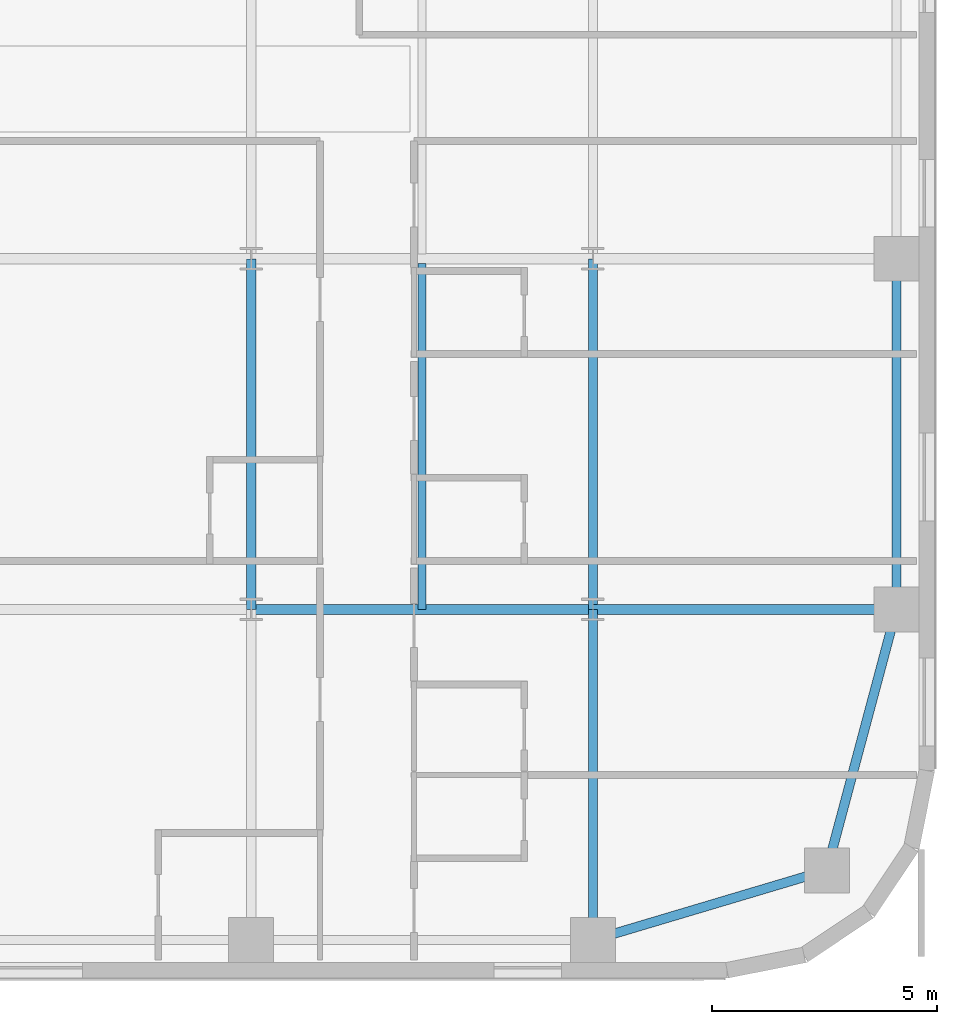
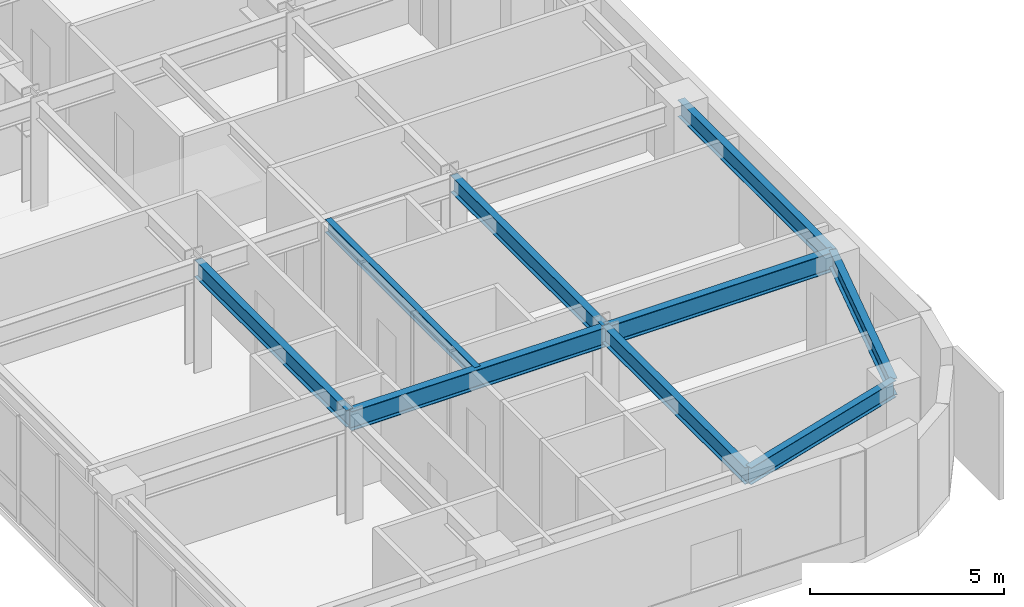
# One storey, part 10 of 24: 9 beams.
"""IFC4 building model written with IfcOpenShell, lengths in metres."""

from ifc_helpers import new_model, si_unit, direction, frame, origin, origin_2d, place, context, subcontext, project, spatial, i_section, extrude, source, transform, mapped, material, material_profile, profile_set, type_object, type_shapes, element, save


model = new_model("IFC4")

# Units and contexts
model_context = context("Model", 3, precision=1e-05, world=origin(), true_north=direction((0.0, 1.0)))
body_context = subcontext(model_context, "Body", "Model", "MODEL_VIEW")
ifc_project = project(units=[si_unit("LENGTHUNIT", "METRE"), si_unit("AREAUNIT", "SQUARE_METRE"), si_unit("VOLUMEUNIT", "CUBIC_METRE"), si_unit("PLANEANGLEUNIT", "RADIAN"), si_unit("MASSUNIT", "GRAM", prefix="KILO")], contexts=[model_context])

# Site, building, storey
site_placement = place(None, origin())
site = spatial("IfcSite", under=ifc_project, at=site_placement, CompositionType="ELEMENT")
building_placement = place(site_placement, origin())
building = spatial("IfcBuilding", under=site, at=building_placement, Name="Tolvann Quenvar Hotel", CompositionType="ELEMENT")
storey_placement = place(building_placement, frame((0.0, 0.0, 67.5)))
storey = spatial("IfcBuildingStorey", under=building, at=storey_placement, Name="L16", CompositionType="ELEMENT", Elevation=67.5)

# Beams
ifc_material = material(Name="Steel Grade 350", Category="steel")
ifc_material_profile_1 = material_profile(ifc_material, i_section(OverallWidth=0.208984375, OverallDepth=0.528076171875, WebThickness=0.009521484375, FlangeThickness=0.01318359375, FilletRadius=0.013916015625, at=origin_2d()), Name="530UB82")
ifc_profile_set_1 = profile_set([ifc_material_profile_1], Name="Steel Grade 350")
beam_type_1 = type_object("IfcBeamType", Name="BM_SPAND_530UB82", PredefinedType="SPANDREL", material=ifc_profile_set_1)
shared_shape_1 = source(origin(), body_context, "Body", "SweptSolid", [
    extrude(i_section(OverallWidth=0.208984375, OverallDepth=0.528076171875, WebThickness=0.009521484375, FlangeThickness=0.01318359375, FilletRadius=0.013916015625, at=origin_2d()), origin(), (0.0, 0.0, 1.0), 5.42626953125),
])
beam_1_placement = place(storey_placement, frame((49.39990234375, 0.85009765625, 3.10595703125), z_axis=(0.958344815522, 0.285613750654, 0.0), x_axis=(-0.285613750654, 0.958344815522, 0.0)))
element("IfcBeam", 1, at=beam_1_placement, inside=storey, type_object=beam_type_1, Name="BM-L16-EW-2-I2-J2", PredefinedType="SPANDREL", context=body_context, shape_type="MappedRepresentation", body=[
    mapped(shared_shape_1, transform((0.0, 0.0, 0.0), x_axis=(1.0, 0.0, 0.0), y_axis=(0.0, 1.0, 0.0), z_axis=(0.0, 0.0, 1.0), scale=1.0)),
])
ifc_material_profile_2 = material_profile(ifc_material, i_section(OverallWidth=0.22900390625, OverallDepth=0.612060546875, WebThickness=0.011962890625, FlangeThickness=0.01953125, FilletRadius=0.013916015625, at=origin_2d()), Name="610UB125")
ifc_profile_set_2 = profile_set([ifc_material_profile_2], Name="Steel Grade 350")
beam_type_2 = type_object("IfcBeamType", Name="BM_GIRD_610UB125", PredefinedType="BEAM", material=ifc_profile_set_2)
shared_shape_2 = source(origin(), body_context, "Body", "SweptSolid", [
    extrude(i_section(OverallWidth=0.22900390625, OverallDepth=0.612060546875, WebThickness=0.011962890625, FlangeThickness=0.01953125, FilletRadius=0.013916015625, at=origin_2d()), origin(), (0.0, 0.0, 1.0), 6.75),
])
beam_2_placement = place(storey_placement, frame((49.39990234375, 8.199951171875, 3.06396484375), z_axis=(1.0, 0.0, 0.0), x_axis=(0.0, 1.0, 0.0)))
element("IfcBeam", 2, at=beam_2_placement, inside=storey, type_object=beam_type_2, Name="BM-L16-EW-3-I3-J3", PredefinedType="BEAM", context=body_context, shape_type="MappedRepresentation", body=[
    mapped(shared_shape_2, transform((0.0, 0.0, 0.0), x_axis=(1.0, 0.0, 0.0), y_axis=(0.0, 1.0, 0.0), z_axis=(0.0, 0.0, 1.0), scale=1.0)),
])
shared_shape_3 = source(origin(), body_context, "Body", "SweptSolid", [
    extrude(i_section(OverallWidth=0.22900390625, OverallDepth=0.612060546875, WebThickness=0.011962890625, FlangeThickness=0.01953125, FilletRadius=0.013916015625, at=origin_2d()), origin(), (0.0, 0.0, 1.0), 7.599853515625),
])
type_shapes(beam_type_2, [shared_shape_2, shared_shape_3])
beam_3_placement = place(storey_placement, frame((41.800048828125, 8.199951171875, 3.06396484375), z_axis=(1.0, 0.0, 0.0), x_axis=(0.0, 1.0, 0.0)))
element("IfcBeam", 3, at=beam_3_placement, inside=storey, type_object=beam_type_2, Name="BM-L16-EW-3-H3-I3", PredefinedType="BEAM", context=body_context, shape_type="MappedRepresentation", body=[
    mapped(shared_shape_3, transform((0.0, 0.0, 0.0), x_axis=(1.0, 0.0, 0.0), y_axis=(0.0, 1.0, 0.0), z_axis=(0.0, 0.0, 1.0), scale=1.0)),
])
shared_shape_4 = source(origin(), body_context, "Body", "SweptSolid", [
    extrude(i_section(OverallWidth=0.208984375, OverallDepth=0.528076171875, WebThickness=0.009521484375, FlangeThickness=0.01318359375, FilletRadius=0.013916015625, at=origin_2d()), origin(), (0.0, 0.0, 1.0), 6.00341796875),
])
beam_4_placement = place(storey_placement, frame((54.60009765625, 2.39990234375, 3.10595703125), z_axis=(0.258148586649, 0.966105225745, 0.0), x_axis=(-0.966105225745, 0.258148586649, 0.0)))
element("IfcBeam", 4, at=beam_4_placement, inside=storey, type_object=beam_type_1, Name="BM-L16-NS-J2-J3", PredefinedType="SPANDREL", context=body_context, shape_type="MappedRepresentation", body=[
    mapped(shared_shape_4, transform((0.0, 0.0, 0.0), x_axis=(1.0, 0.0, 0.0), y_axis=(0.0, 1.0, 0.0), z_axis=(0.0, 0.0, 1.0), scale=1.0)),
])
shared_shape_5 = source(origin(), body_context, "Body", "SweptSolid", [
    extrude(i_section(OverallWidth=0.208984375, OverallDepth=0.528076171875, WebThickness=0.009521484375, FlangeThickness=0.01318359375, FilletRadius=0.013916015625, at=origin_2d()), origin(), (0.0, 0.0, 1.0), 7.800048828125),
])
type_shapes(beam_type_1, [shared_shape_1, shared_shape_4, shared_shape_5])
beam_5_placement = place(storey_placement, frame((56.14990234375, 8.199951171875, 3.10595703125), z_axis=(0.0, 1.0, 0.0), x_axis=(-1.0, 0.0, 0.0)))
element("IfcBeam", 5, at=beam_5_placement, inside=storey, type_object=beam_type_1, Name="BM-L16-NS-J3-J4", PredefinedType="SPANDREL", context=body_context, shape_type="MappedRepresentation", body=[
    mapped(shared_shape_5, transform((0.0, 0.0, 0.0), x_axis=(1.0, 0.0, 0.0), y_axis=(0.0, 1.0, 0.0), z_axis=(0.0, 0.0, 1.0), scale=1.0)),
])
ifc_material_profile_3 = material_profile(ifc_material, i_section(OverallWidth=0.208984375, OverallDepth=0.532958984375, WebThickness=0.01025390625, FlangeThickness=0.015625, FilletRadius=0.013916015625, at=origin_2d()), Name="530UB92")
ifc_profile_set_3 = profile_set([ifc_material_profile_3], Name="Steel Grade 350")
beam_type_3 = type_object("IfcBeamType", Name="BM_GIRD_530UB92", PredefinedType="BEAM", material=ifc_profile_set_3)
shared_shape_6 = source(origin(), body_context, "Body", "SweptSolid", [
    extrude(i_section(OverallWidth=0.208984375, OverallDepth=0.532958984375, WebThickness=0.01025390625, FlangeThickness=0.015625, FilletRadius=0.013916015625, at=origin_2d()), origin(), (0.0, 0.0, 1.0), 7.349853515625),
])
beam_6_placement = place(storey_placement, frame((49.39990234375, 0.85009765625, 3.103515625), z_axis=(0.0, 1.0, 0.0), x_axis=(-1.0, 0.0, 0.0)))
element("IfcBeam", 6, at=beam_6_placement, inside=storey, type_object=beam_type_3, Name="BM-L16-NS-I2-I3", PredefinedType="BEAM", context=body_context, shape_type="MappedRepresentation", body=[
    mapped(shared_shape_6, transform((0.0, 0.0, 0.0), x_axis=(1.0, 0.0, 0.0), y_axis=(0.0, 1.0, 0.0), z_axis=(0.0, 0.0, 1.0), scale=1.0)),
])
shared_shape_7 = source(origin(), body_context, "Body", "SweptSolid", [
    extrude(i_section(OverallWidth=0.208984375, OverallDepth=0.532958984375, WebThickness=0.01025390625, FlangeThickness=0.015625, FilletRadius=0.013916015625, at=origin_2d()), origin(), (0.0, 0.0, 1.0), 7.800048828125),
])
type_shapes(beam_type_3, [shared_shape_6, shared_shape_7])
for number, where, z_axis, x_axis, name in (
    (7, (41.800048828125, 8.199951171875, 3.103515625), (0.0, 1.0, 0.0), (-1.0, 0.0, 0.0), "BM-L16-NS-H3-H4"),
    (8, (49.39990234375, 8.199951171875, 3.103515625), (0.0, 1.0, 0.0), (-1.0, 0.0, 0.0), "BM-L16-NS-I3-I4"),
):
    element("IfcBeam", number, at=place(storey_placement, frame(where, z_axis=z_axis, x_axis=x_axis)), inside=storey, type_object=beam_type_3, Name=name, PredefinedType="BEAM", context=body_context, shape_type="MappedRepresentation", body=[
        mapped(shared_shape_7, transform((0.0, 0.0, 0.0), x_axis=(1.0, 0.0, 0.0), y_axis=(0.0, 1.0, 0.0), z_axis=(0.0, 0.0, 1.0), scale=1.0)),
    ])
ifc_material_profile_4 = material_profile(ifc_material, i_section(OverallWidth=0.177978515625, OverallDepth=0.406005859375, WebThickness=0.0078125, FlangeThickness=0.0126953125, FilletRadius=0.011474609375, at=origin_2d()), Name="410UB60")
ifc_profile_set_4 = profile_set([ifc_material_profile_4], Name="Steel Grade 350")
beam_type_4 = type_object("IfcBeamType", Name="BM_JOIST_410UB60", PredefinedType="JOIST", material=ifc_profile_set_4)
shared_shape_8 = source(origin(), body_context, "Body", "SweptSolid", [
    extrude(i_section(OverallWidth=0.177978515625, OverallDepth=0.406005859375, WebThickness=0.0078125, FlangeThickness=0.0126953125, FilletRadius=0.011474609375, at=origin_2d()), origin(), (0.0, 0.0, 1.0), 7.691650390625),
])
type_shapes(beam_type_4, [shared_shape_8])
beam_7_placement = place(storey_placement, frame((45.60009765625, 8.199951171875, 3.1669921875), z_axis=(0.0, 1.0, 0.0), x_axis=(-1.0, 0.0, 0.0)))
element("IfcBeam", 9, at=beam_7_placement, inside=storey, type_object=beam_type_4, Name="BJ-L16-456-82", PredefinedType="JOIST", context=body_context, shape_type="MappedRepresentation", body=[
    mapped(shared_shape_8, transform((0.0, 0.0, 0.0), x_axis=(1.0, 0.0, 0.0), y_axis=(0.0, 1.0, 0.0), z_axis=(0.0, 0.0, 1.0), scale=1.0)),
])

save(model, "model.ifc")
